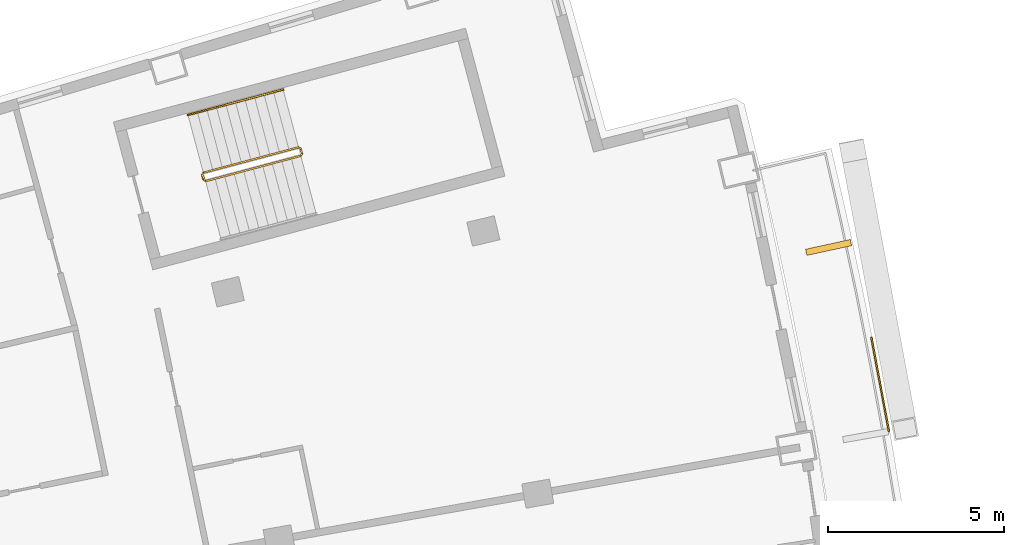
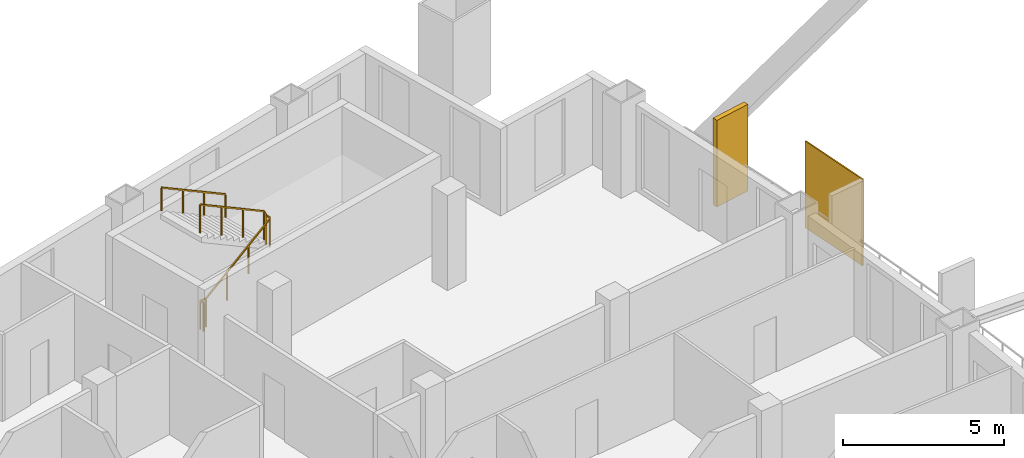
# One storey, part 19 of 19: 2 railings, 2 shading devices.
"""IFC4 building model written with IfcOpenShell, lengths in metres."""

from ifc_helpers import new_model, si_unit, direction, frame, origin, origin_2d, place, context, subcontext, project, spatial, rectangle, extrude, material, layer, layer_set, type_object, element, save


model = new_model("IFC4")

# Units and contexts
model_context = context("Model", 3, precision=1e-05, world=origin(), true_north=direction((0.0, 1.0)))
body_context = subcontext(model_context, "Body", "Model", "MODEL_VIEW")
ifc_project = project(units=[si_unit("LENGTHUNIT", "METRE"), si_unit("AREAUNIT", "SQUARE_METRE"), si_unit("VOLUMEUNIT", "CUBIC_METRE"), si_unit("PLANEANGLEUNIT", "RADIAN"), si_unit("MASSUNIT", "GRAM", prefix="KILO")], contexts=[model_context])

# Site, building, storey
site_placement = place(None, origin())
site = spatial("IfcSite", under=ifc_project, at=site_placement, CompositionType="ELEMENT")
building_placement = place(site_placement, origin())
building = spatial("IfcBuilding", under=site, at=building_placement, Name="Alderwake Tower", CompositionType="ELEMENT")
storey_placement = place(building_placement, frame((0.0, 0.0, 200.0)))
storey = spatial("IfcBuildingStorey", under=building, at=storey_placement, Name="L49", CompositionType="ELEMENT", Elevation=200.0)

# Shading devices
ifc_material_1 = material(Name="Bronze anodised aluminium", Category="aluminium")
ifc_layer_1 = layer(ifc_material_1, 0.179931640625)
ifc_layer_set_1 = layer_set([ifc_layer_1], Name="Facade fin 1300")
shading_device_type_1 = type_object("IfcShadingDeviceType", Name="Facade fin 1300", PredefinedType="USERDEFINED", material=ifc_layer_set_1)
shading_device_1_placement = place(storey_placement, frame((57.0048828125, 90.760498046875, 0.0), z_axis=(0.0, 0.0, 1.0), x_axis=(0.977210363881, 0.212273184185, 0.0)))
element("IfcShadingDevice", 1, at=shading_device_1_placement, inside=storey, type_object=shading_device_type_1, Name="Fin", ObjectType="FIN", PredefinedType="USERDEFINED", context=body_context, shape_type="SweptSolid", body=[
    extrude(rectangle(XDim=1.300048828125, YDim=0.179931640625, at=origin_2d()), origin(), (0.0, 0.0, 1.0), 3.280029296875),
])
ifc_material_2 = material(Name="Perforated bronze anodised aluminium", Category="aluminium")
ifc_layer_2 = layer(ifc_material_2, 0.050048828125)
ifc_layer_set_2 = layer_set([ifc_layer_2], Name="Perforated screen panel")
shading_device_type_2 = type_object("IfcShadingDeviceType", Name="Perforated screen panel", PredefinedType="USERDEFINED", material=ifc_layer_set_2)
shading_device_2_placement = place(storey_placement, frame((58.472412109375, 86.87060546875, 0.0), z_axis=(0.0, 0.0, 1.0), x_axis=(0.982991488043, 0.183651121519, 0.0)))
element("IfcShadingDevice", 2, at=shading_device_2_placement, inside=storey, type_object=shading_device_type_2, Name="Screen panel", ObjectType="SCREEN", PredefinedType="USERDEFINED", context=body_context, shape_type="SweptSolid", body=[
    extrude(rectangle(XDim=0.050048828125, YDim=2.73291015625, at=origin_2d()), origin(), (0.0, 0.0, 1.0), 3.280029296875),
])

# Railings
ifc_material_3 = material(Name="Stainless steel guard", Category="steel")
railing_type_1 = type_object("IfcRailingType", Name="Stair guard 1100", PredefinedType="GUARDRAIL", material=ifc_material_3)
railing_1_placement = place(storey_placement, frame((39.23291015625, 92.6806640625, 0.0)))
element("IfcRailing", 3, at=railing_1_placement, inside=storey, type_object=railing_type_1, Name="L49 ST-A stair guard 1", PredefinedType="GUARDRAIL", context=body_context, shape_type="SweptSolid", body=[
    extrude(rectangle(XDim=0.048095703125, YDim=0.048095703125, at=origin_2d()), frame((0.0, 0.0, 1.076171875), z_axis=(-0.257055032184, 0.966396766566, 0.0), x_axis=(-0.966396766566, -0.257055032184, 0.0)), (0.0, 0.0, 1.0), 0.150146484375),
    extrude(rectangle(XDim=0.048095703125, YDim=0.048095703125, at=origin_2d()), frame((-0.03857421875, 0.14501953125, 1.076171875), z_axis=(0.379370725808, -0.685464465458, 0.621463047167), x_axis=(0.874937996095, 0.484234966715, 0.0)), (0.0, 0.0, 1.0), 0.26318359375),
    extrude(rectangle(XDim=0.048095703125, YDim=0.048095703125, at=origin_2d()), frame((0.061279296875, -0.035400390625, 1.23974609375), z_axis=(0.834258940753, 0.22222815314, 0.504605457487), x_axis=(-0.257402139082, 0.966304371715, 0.0)), (0.0, 0.0, 1.0), 3.2431640625),
    extrude(rectangle(XDim=0.048095703125, YDim=0.048095703125, at=origin_2d()), frame((2.766845703125, 0.685302734375, 2.8759765625), z_axis=(0.500220121494, 0.865898279276, 0.0), x_axis=(-0.865898279276, 0.500220121494, 0.0)), (0.0, 0.0, 1.0), 0.07080078125),
    extrude(rectangle(XDim=0.048095703125, YDim=0.048095703125, at=origin_2d()), frame((2.80224609375, 0.74658203125, 2.8759765625), z_axis=(-0.257459803502, 0.966289009345, 0.0), x_axis=(-0.966289009345, -0.257459803502, 0.0)), (0.0, 0.0, 1.0), 0.14990234375),
    extrude(rectangle(XDim=0.048095703125, YDim=0.048095703125, at=origin_2d()), frame((2.763671875, 0.891357421875, 2.8759765625), z_axis=(-0.34252489212, 0.200034536998, 0.917966710881), x_axis=(-0.504300490226, -0.863528236688, 0.0)), (0.0, 0.0, 1.0), 0.17822265625),
    extrude(rectangle(XDim=0.048095703125, YDim=0.048095703125, at=origin_2d()), frame((2.70263671875, 0.927001953125, 3.03955078125), z_axis=(-0.834281824786, -0.222214197128, 0.504573768072), x_axis=(0.257380452725, -0.966310148221, 0.0)), (0.0, 0.0, 1.0), 3.2431640625),
    extrude(rectangle(XDim=0.0419921875, YDim=0.0419921875, at=origin_2d()), frame((0.0, 0.0, 0.0), z_axis=(0.0, 0.0, 1.0), x_axis=(-0.257055032184, 0.966396766566, 0.0)), (0.0, 0.0, 1.0), 1.052001953125),
    extrude(rectangle(XDim=0.0419921875, YDim=0.0419921875, at=origin_2d()), frame((-0.03857421875, 0.14501953125, 0.0), z_axis=(0.0, 0.0, 1.0), x_axis=(0.484234966715, -0.874937996095, 0.0)), (0.0, 0.0, 1.0), 1.052001953125),
    extrude(rectangle(XDim=0.0419921875, YDim=0.0419921875, at=origin_2d()), frame((0.061279296875, -0.035400390625, 0.16357421875), z_axis=(0.0, 0.0, 1.0), x_axis=(0.966304371715, 0.257402139082, 0.0)), (0.0, 0.0, 1.0), 1.052001953125),
    extrude(rectangle(XDim=0.0419921875, YDim=0.0419921875, at=origin_2d()), frame((0.963134765625, 0.204833984375, 0.708984375), z_axis=(0.0, 0.0, 1.0), x_axis=(0.966304371715, 0.257402139082, 0.0)), (0.0, 0.0, 1.0), 1.052001953125),
    extrude(rectangle(XDim=0.0419921875, YDim=0.0419921875, at=origin_2d()), frame((1.864990234375, 0.445068359375, 1.254638671875), z_axis=(0.0, 0.0, 1.0), x_axis=(0.966304371715, 0.257402139082, 0.0)), (0.0, 0.0, 1.0), 1.052001953125),
    extrude(rectangle(XDim=0.0419921875, YDim=0.0419921875, at=origin_2d()), frame((2.766845703125, 0.685302734375, 1.800048828125), z_axis=(0.0, 0.0, 1.0), x_axis=(0.500220121494, 0.865898279276, 0.0)), (0.0, 0.0, 1.0), 1.052001953125),
    extrude(rectangle(XDim=0.0419921875, YDim=0.0419921875, at=origin_2d()), frame((2.80224609375, 0.74658203125, 1.800048828125), z_axis=(0.0, 0.0, 1.0), x_axis=(-0.257459803502, 0.966289009345, 0.0)), (0.0, 0.0, 1.0), 1.052001953125),
    extrude(rectangle(XDim=0.0419921875, YDim=0.0419921875, at=origin_2d()), frame((2.763671875, 0.891357421875, 1.800048828125), z_axis=(0.0, 0.0, 1.0), x_axis=(-0.863528236688, 0.504300490226, 0.0)), (0.0, 0.0, 1.0), 1.052001953125),
    extrude(rectangle(XDim=0.0419921875, YDim=0.0419921875, at=origin_2d()), frame((2.70263671875, 0.927001953125, 1.963623046875), z_axis=(0.0, 0.0, 1.0), x_axis=(-0.966310148221, -0.257380452725, 0.0)), (0.0, 0.0, 1.0), 1.052001953125),
    extrude(rectangle(XDim=0.0419921875, YDim=0.0419921875, at=origin_2d()), frame((1.80078125, 0.686767578125, 2.509033203125), z_axis=(0.0, 0.0, 1.0), x_axis=(-0.966310148221, -0.257380452725, 0.0)), (0.0, 0.0, 1.0), 1.052001953125),
    extrude(rectangle(XDim=0.0419921875, YDim=0.0419921875, at=origin_2d()), frame((0.898681640625, 0.446533203125, 3.0546875), z_axis=(0.0, 0.0, 1.0), x_axis=(-0.966310148221, -0.257380452725, 0.0)), (0.0, 0.0, 1.0), 1.052001953125),
    extrude(rectangle(XDim=0.0419921875, YDim=0.0419921875, at=origin_2d()), frame((-0.003173828125, 0.206298828125, 3.60009765625), z_axis=(0.0, 0.0, 1.0), x_axis=(-0.966310148221, -0.257380452725, 0.0)), (0.0, 0.0, 1.0), 1.052001953125),
])
ifc_material_4 = material(Name="Stainless steel handrail", Category="steel")
railing_type_2 = type_object("IfcRailingType", Name="Stair handrail 900", PredefinedType="HANDRAIL", material=ifc_material_4)
railing_2_placement = place(storey_placement, frame((41.497802734375, 95.250244140625, 1.963623046875)))
element("IfcRailing", 4, at=railing_2_placement, inside=storey, type_object=railing_type_2, Name="L49 ST-A stair handrail 2", PredefinedType="HANDRAIL", context=body_context, shape_type="SweptSolid", body=[
    extrude(rectangle(XDim=0.048095703125, YDim=0.048095703125, at=origin_2d()), frame((0.0, 0.0, 0.8759765625), z_axis=(-0.834258940753, -0.22222815314, 0.504605457487), x_axis=(0.257402139082, -0.966304371715, 0.0)), (0.0, 0.0, 1.0), 3.2431640625),
    extrude(rectangle(XDim=0.0419921875, YDim=0.0419921875, at=origin_2d()), frame((0.0, 0.0, 0.0), z_axis=(0.0, 0.0, 1.0), x_axis=(-0.966304371715, -0.257402139082, 0.0)), (0.0, 0.0, 1.0), 0.851806640625),
    extrude(rectangle(XDim=0.0419921875, YDim=0.0419921875, at=origin_2d()), frame((-0.90185546875, -0.240234375, 0.54541015625), z_axis=(0.0, 0.0, 1.0), x_axis=(-0.966304371715, -0.257402139082, 0.0)), (0.0, 0.0, 1.0), 0.851806640625),
    extrude(rectangle(XDim=0.0419921875, YDim=0.0419921875, at=origin_2d()), frame((-1.8037109375, -0.48046875, 1.091064453125), z_axis=(0.0, 0.0, 1.0), x_axis=(-0.966304371715, -0.257402139082, 0.0)), (0.0, 0.0, 1.0), 0.851806640625),
    extrude(rectangle(XDim=0.0419921875, YDim=0.0419921875, at=origin_2d()), frame((-2.70556640625, -0.720703125, 1.636474609375), z_axis=(0.0, 0.0, 1.0), x_axis=(-0.966304371715, -0.257402139082, 0.0)), (0.0, 0.0, 1.0), 0.851806640625),
])

save(model, "model.ifc")
